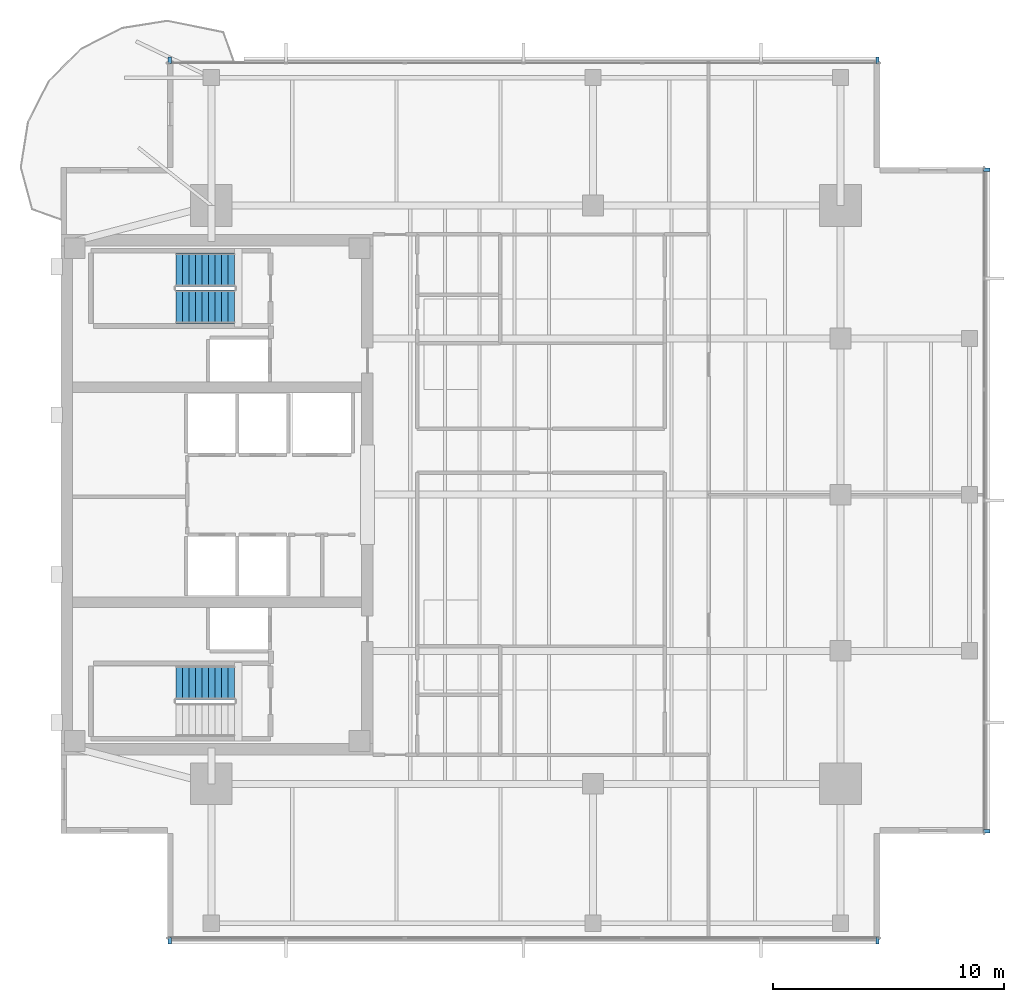
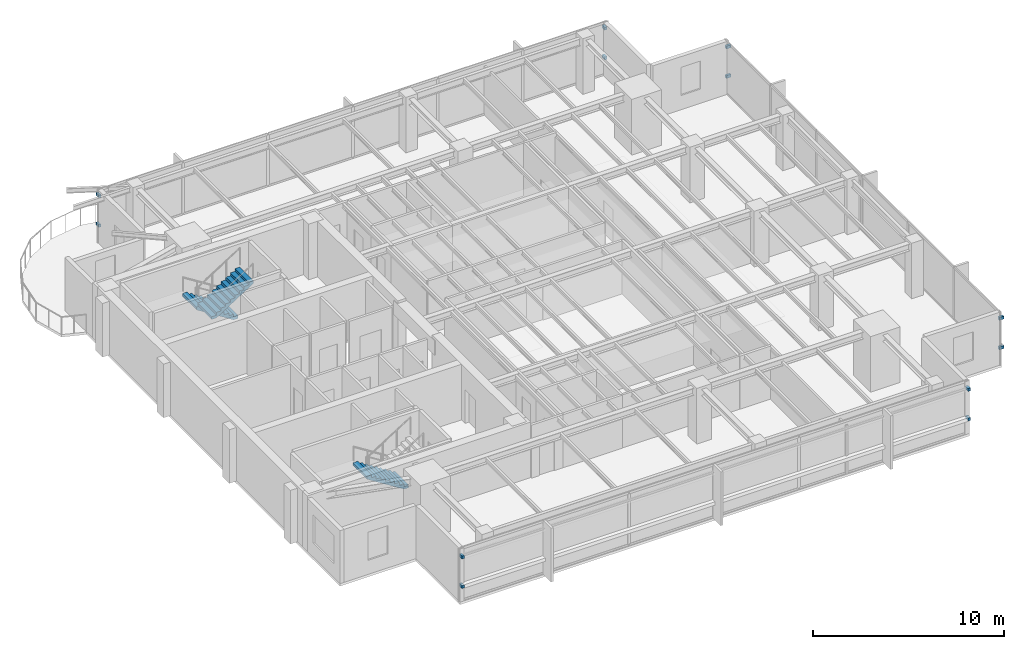
# One storey, part 10 of 14: 12 discrete accessories, 3 stair flights, 2 elements without a shape of their own.
"""IFC4 building model written with IfcOpenShell, lengths in metres."""

from ifc_helpers import new_model, si_unit, direction, frame, origin, origin_2d, place, context, subcontext, project, spatial, polyline, rectangle, outline, extrude, material, type_object, element, aggregate, save


model = new_model("IFC4")

# Units and contexts
model_context = context("Model", 3, precision=1e-05, world=origin(), true_north=direction((0.0, 1.0)))
body_context = subcontext(model_context, "Body", "Model", "MODEL_VIEW")
ifc_project = project(units=[si_unit("LENGTHUNIT", "METRE"), si_unit("AREAUNIT", "SQUARE_METRE"), si_unit("VOLUMEUNIT", "CUBIC_METRE"), si_unit("PLANEANGLEUNIT", "RADIAN"), si_unit("MASSUNIT", "GRAM", prefix="KILO")], contexts=[model_context])

# Site, building, storey
site_placement = place(None, origin())
site = spatial("IfcSite", under=ifc_project, at=site_placement, CompositionType="ELEMENT")
building_placement = place(site_placement, origin())
building = spatial("IfcBuilding", under=site, at=building_placement, Name="Kinhvarn Gate Tower", CompositionType="ELEMENT")
storey_placement = place(building_placement, frame((0.0, 0.0, 267.0)))
storey = spatial("IfcBuildingStorey", under=building, at=storey_placement, Name="L71", CompositionType="ELEMENT", Elevation=267.0)

# Stair, stair flight
ifc_material_1 = material(Name="Concrete C40/50", Category="concrete")
stair_type = type_object("IfcStairType", Name="STR-DLG-178", PredefinedType="HALF_TURN_STAIR", material=ifc_material_1)
stair_1_placement = place(storey_placement, origin())
stair_1 = element("IfcStair", 1, at=stair_1_placement, inside=storey, type_object=stair_type, Name="L71 Core Smokeproof Exit Stair ST1", PredefinedType="HALF_TURN_STAIR")
stair_flight_type = type_object("IfcStairFlightType", Name="STF-DLG-178", PredefinedType="STRAIGHT", material=ifc_material_1)
stair_flight_1_placement = place(storey_placement, frame((12.0, 17.125, 0.0), z_axis=(0.0, 0.0, 1.0), x_axis=(-1.0, 0.0, 0.0)))
stair_flight_1 = element("IfcStairFlight", 2, at=stair_flight_1_placement, type_object=stair_flight_type, Name="ST1 flight 1", NumberOfRisers=10, NumberOfTreads=9, PredefinedType="STRAIGHT", RiserHeight=0.1775, TreadLength=0.28, context=body_context, shape_type="SweptSolid", body=[
    extrude(outline(polyline([(0.0, 0.0), (0.0, 0.177490234375), (0.280029296875, 0.177490234375), (0.280029296875, 0.35498046875), (0.56005859375, 0.35498046875), (0.56005859375, 0.532470703125), (0.840087890625, 0.532470703125), (0.840087890625, 0.7099609375), (1.1201171875, 0.7099609375), (1.1201171875, 0.887451171875), (1.39990234375, 0.887451171875), (1.39990234375, 1.06494140625), (1.679931640625, 1.06494140625), (1.679931640625, 1.242431640625), (1.9599609375, 1.242431640625), (1.9599609375, 1.419921875), (2.239990234375, 1.419921875), (2.239990234375, 1.597412109375), (2.52001953125, 1.597412109375), (2.52001953125, 1.77490234375), (2.52001953125, 1.419921875), (0.280029296875, 0.0), (0.0, 0.0)])), frame((0.0, 0.72509765625, 0.0), z_axis=(0.0, -1.0, 0.0), x_axis=(1.0, 0.0, 0.0)), (0.0, 0.0, 1.0), 1.449951171875),
])
aggregate(stair_1, [stair_flight_1])

# Stair, stair flights
stair_2_placement = place(storey_placement, origin())
stair_2 = element("IfcStair", 3, at=stair_2_placement, inside=storey, type_object=stair_type, Name="L71 Core Smokeproof Exit Stair ST2", PredefinedType="HALF_TURN_STAIR")
stair_flight_2_placement = place(storey_placement, frame((12.0, 34.97509765625, 0.0), z_axis=(0.0, 0.0, 1.0), x_axis=(-1.0, 0.0, 0.0)))
stair_flight_2 = element("IfcStairFlight", 4, at=stair_flight_2_placement, type_object=stair_flight_type, Name="ST2 flight 1", NumberOfRisers=10, NumberOfTreads=9, PredefinedType="STRAIGHT", RiserHeight=0.1775, TreadLength=0.28, context=body_context, shape_type="SweptSolid", body=[
    extrude(outline(polyline([(0.0, 0.0), (0.0, 0.177490234375), (0.280029296875, 0.177490234375), (0.280029296875, 0.35498046875), (0.56005859375, 0.35498046875), (0.56005859375, 0.532470703125), (0.840087890625, 0.532470703125), (0.840087890625, 0.7099609375), (1.1201171875, 0.7099609375), (1.1201171875, 0.887451171875), (1.39990234375, 0.887451171875), (1.39990234375, 1.06494140625), (1.679931640625, 1.06494140625), (1.679931640625, 1.242431640625), (1.9599609375, 1.242431640625), (1.9599609375, 1.419921875), (2.239990234375, 1.419921875), (2.239990234375, 1.597412109375), (2.52001953125, 1.597412109375), (2.52001953125, 1.77490234375), (2.52001953125, 1.419921875), (0.280029296875, 0.0), (0.0, 0.0)])), frame((0.0, 0.72509765625, 0.0), z_axis=(0.0, -1.0, 0.0), x_axis=(1.0, 0.0, 0.0)), (0.0, 0.0, 1.0), 1.449951171875),
])
stair_flight_3_placement = place(storey_placement, frame((9.47998046875, 33.375, 1.77490234375), z_axis=(0.0, 0.0, 1.0), x_axis=(1.0, 0.0, 0.0)))
stair_flight_3 = element("IfcStairFlight", 5, at=stair_flight_3_placement, type_object=stair_flight_type, Name="ST2 flight 2", NumberOfRisers=10, NumberOfTreads=9, PredefinedType="STRAIGHT", RiserHeight=0.1775, TreadLength=0.28, context=body_context, shape_type="SweptSolid", body=[
    extrude(outline(polyline([(0.0, 0.0), (0.0, 0.177490234375), (0.280029296875, 0.177490234375), (0.280029296875, 0.35498046875), (0.56005859375, 0.35498046875), (0.56005859375, 0.532470703125), (0.840087890625, 0.532470703125), (0.840087890625, 0.7099609375), (1.1201171875, 0.7099609375), (1.1201171875, 0.887451171875), (1.39990234375, 0.887451171875), (1.39990234375, 1.06494140625), (1.679931640625, 1.06494140625), (1.679931640625, 1.242431640625), (1.9599609375, 1.242431640625), (1.9599609375, 1.419921875), (2.239990234375, 1.419921875), (2.239990234375, 1.597412109375), (2.52001953125, 1.597412109375), (2.52001953125, 1.77490234375), (2.52001953125, 1.419921875), (0.280029296875, 0.0), (0.0, 0.0)])), frame((0.0, 0.72509765625, 0.0), z_axis=(0.0, -1.0, 0.0), x_axis=(1.0, 0.0, 0.0)), (0.0, 0.0, 1.0), 1.449951171875),
])
aggregate(stair_2, [stair_flight_2, stair_flight_3])

# Discrete accessories
ifc_material_2 = material(Name="Anodised aluminium AW-6063", Category="aluminium")
discrete_accessory_type = type_object("IfcDiscreteAccessoryType", Name="ACC-BRK-01", PredefinedType="BRACKET", material=ifc_material_2)
for number, where, z_axis, x_axis, name in (
    (6, (9.199951171875, 5.969970703125, 0.9599609375), (0.0, 0.0, 1.0), (1.0, 0.0, 0.0), "Baguette Support Bracket BK-01 (L71)"),
    (7, (9.199951171875, 5.969970703125, 2.85009765625), (0.0, 0.0, 1.0), (1.0, 0.0, 0.0), "Baguette Support Bracket BK-01 (L71)"),
    (8, (39.800048828125, 5.969970703125, 0.9599609375), (0.0, 0.0, 1.0), (1.0, 0.0, 0.0), "Baguette Support Bracket BK-01 (L71)"),
    (9, (39.800048828125, 5.969970703125, 2.85009765625), (0.0, 0.0, 1.0), (1.0, 0.0, 0.0), "Baguette Support Bracket BK-01 (L71)"),
    (10, (39.800048828125, 44.030029296875, 0.9599609375), (0.0, 0.0, 1.0), (-1.0, 0.0, 0.0), "Baguette Support Bracket BK-01 (L71)"),
    (11, (39.800048828125, 44.030029296875, 2.85009765625), (0.0, 0.0, 1.0), (-1.0, 0.0, 0.0), "Baguette Support Bracket BK-01 (L71)"),
    (12, (9.199951171875, 44.030029296875, 0.9599609375), (0.0, 0.0, 1.0), (-1.0, 0.0, 0.0), "Baguette Support Bracket BK-01 (L71)"),
    (13, (9.199951171875, 44.030029296875, 2.85009765625), (0.0, 0.0, 1.0), (-1.0, 0.0, 0.0), "Baguette Support Bracket BK-01 (L71)"),
    (14, (44.530029296875, 10.699951171875, 0.9599609375), (0.0, 0.0, 1.0), (0.0, 1.0, 0.0), "Baguette Support Bracket BK-01 (L71)"),
    (15, (44.530029296875, 10.699951171875, 2.85009765625), (0.0, 0.0, 1.0), (0.0, 1.0, 0.0), "Baguette Support Bracket BK-01 (L71)"),
    (16, (44.530029296875, 39.300048828125, 0.9599609375), (0.0, 0.0, 1.0), (0.0, 1.0, 0.0), "Baguette Support Bracket BK-01 (L71)"),
    (17, (44.530029296875, 39.300048828125, 2.85009765625), (0.0, 0.0, 1.0), (0.0, 1.0, 0.0), "Baguette Support Bracket BK-01 (L71)"),
):
    element("IfcDiscreteAccessory", number, at=place(storey_placement, frame(where, z_axis=z_axis, x_axis=x_axis)), inside=storey, type_object=discrete_accessory_type, Name=name, PredefinedType="BRACKET", context=body_context, shape_type="SweptSolid", body=[
        extrude(rectangle(XDim=0.139892578125, YDim=0.280029296875, at=origin_2d()), origin(), (0.0, 0.0, 1.0), 0.179931640625),
    ])

save(model, "model.ifc")
